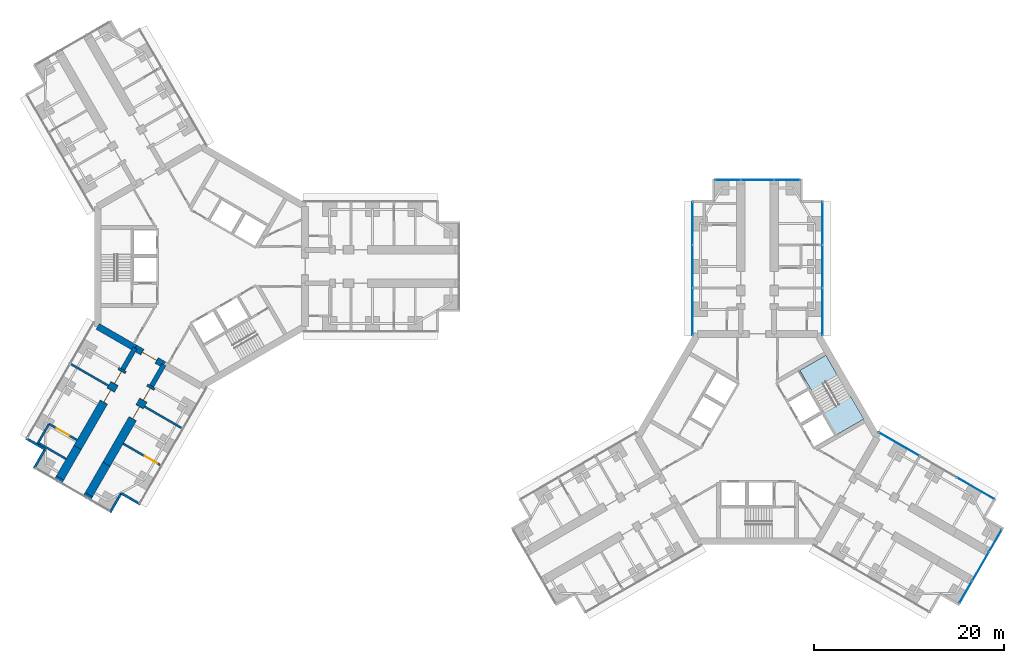
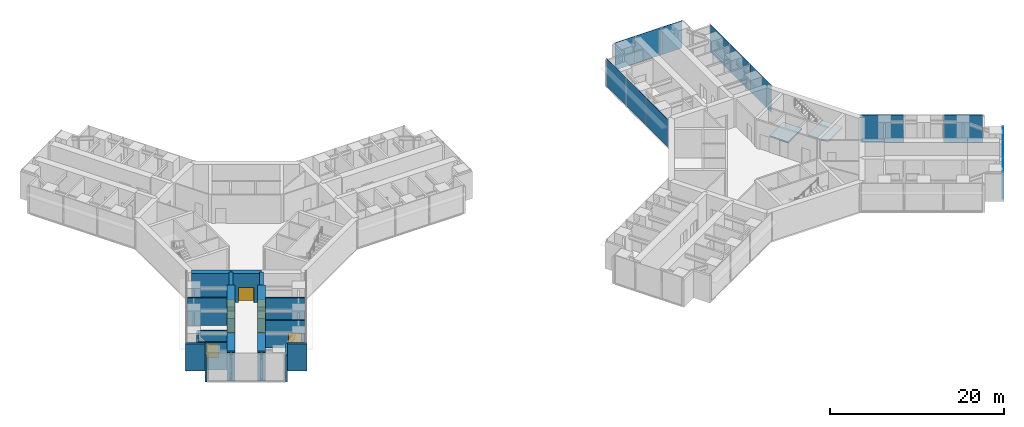
# One storey, part 15 of 22: 20 walls, 14 plates, 7 doors, 2 slabs, 7 openings, 6 elements without a shape of their own.
"""IFC4 building model written with IfcOpenShell, lengths in metres."""

from ifc_helpers import new_model, si_unit, direction, frame, frame_2d, origin, origin_2d, place, context, subcontext, project, spatial, polyline, rectangle, outline, extrude, material, layer, layer_set, type_object, element, fill, aggregate, save


model = new_model("IFC4")

# Units and contexts
model_context = context("Model", 3, precision=1e-05, world=origin(), true_north=direction((0.0, 1.0)))
body_context = subcontext(model_context, "Body", "Model", "MODEL_VIEW")
ifc_project = project(units=[si_unit("LENGTHUNIT", "METRE"), si_unit("AREAUNIT", "SQUARE_METRE"), si_unit("VOLUMEUNIT", "CUBIC_METRE"), si_unit("PLANEANGLEUNIT", "RADIAN"), si_unit("MASSUNIT", "GRAM", prefix="KILO")], contexts=[model_context])

# Site, building, storey
site_placement = place(None, origin())
site = spatial("IfcSite", under=ifc_project, at=site_placement, CompositionType="ELEMENT")
building_placement = place(site_placement, origin())
building = spatial("IfcBuilding", under=site, at=building_placement, Name="Upepo Twin Towers", CompositionType="ELEMENT")
storey_placement = place(building_placement, frame((0.0, 0.0, 44.5)))
storey = spatial("IfcBuildingStorey", under=building, at=storey_placement, Name="L10", CompositionType="ELEMENT", Elevation=44.5)

# Curtain wall, plates
ifc_material_1 = material(Name="Aluminium and fritted glass", Category="aluminium")
curtain_wall_type = type_object("IfcCurtainWallType", Name="Tower curtain wall TW1, fritted glass", PredefinedType="NOTDEFINED", material=ifc_material_1)
curtain_wall_1_placement = place(storey_placement, origin())
curtain_wall_1 = element("IfcCurtainWall", 1, at=curtain_wall_1_placement, inside=storey, type_object=curtain_wall_type, Name="T2 L10 wing A flank L curtain wall", PredefinedType="NOTDEFINED")
ifc_material_2 = material(Name="Ceramic-fritted laminated glass", Category="glass")
ifc_layer_1 = layer(ifc_material_2, 0.031982421875)
ifc_layer_set_1 = layer_set([ifc_layer_1], Name="Fritted glass panel, 20 per cent dot frit, 32 mm double glazed")
plate_type_1 = type_object("IfcPlateType", Name="Fritted glass panel, 20 per cent dot frit, 32 mm double glazed", PredefinedType="CURTAIN_PANEL", material=ifc_layer_set_1)
plate_1_placement = place(storey_placement, frame((51.64990234375, -4.76513671875, 0.14990234375), z_axis=(0.0, 0.0, 1.0), x_axis=(0.0, 1.0, 0.0)))
plate_1 = element("IfcPlate", 2, at=plate_1_placement, type_object=plate_type_1, Name="T2 L10 wing A flank L curtain wall panel 1", PredefinedType="CURTAIN_PANEL", context=body_context, shape_type="SweptSolid", body=[
    extrude(rectangle(XDim=4.96533203125, YDim=0.031982421875, at=origin_2d()), origin(), (0.0, 0.0, 1.0), 3.85009765625),
])
plate_2_placement = place(storey_placement, frame((51.64990234375, 0.0, 0.14990234375), z_axis=(0.0, 0.0, 1.0), x_axis=(0.0, 1.0, 0.0)))
plate_2 = element("IfcPlate", 3, at=plate_2_placement, type_object=plate_type_1, Name="T2 L10 wing A flank L curtain wall panel 2", PredefinedType="CURTAIN_PANEL", context=body_context, shape_type="SweptSolid", body=[
    extrude(rectangle(XDim=4.43505859375, YDim=0.031982421875, at=origin_2d()), origin(), (0.0, 0.0, 1.0), 3.85009765625),
])
plate_3_placement = place(storey_placement, frame((51.64990234375, 4.53369140625, 0.14990234375), z_axis=(0.0, 0.0, 1.0), x_axis=(0.0, 1.0, 0.0)))
plate_3 = element("IfcPlate", 4, at=plate_3_placement, type_object=plate_type_1, Name="T2 L10 wing A flank L curtain wall panel 3", PredefinedType="CURTAIN_PANEL", context=body_context, shape_type="SweptSolid", body=[
    extrude(rectangle(XDim=4.50244140625, YDim=0.031982421875, at=origin_2d()), origin(), (0.0, 0.0, 1.0), 3.85009765625),
])
aggregate(curtain_wall_1, [plate_1, plate_2, plate_3])

curtain_wall_2_placement = place(storey_placement, origin())
curtain_wall_2 = element("IfcCurtainWall", 5, at=curtain_wall_2_placement, inside=storey, type_object=curtain_wall_type, Name="T2 L10 wing A flank R curtain wall", PredefinedType="NOTDEFINED")
plate_4_placement = place(storey_placement, frame((65.35009765625, 4.53369140625, 0.14990234375), z_axis=(0.0, 0.0, 1.0), x_axis=(0.0, -1.0, 0.0)))
plate_4 = element("IfcPlate", 6, at=plate_4_placement, type_object=plate_type_1, Name="T2 L10 wing A flank R curtain wall panel 1", PredefinedType="CURTAIN_PANEL", context=body_context, shape_type="SweptSolid", body=[
    extrude(rectangle(XDim=4.50244140625, YDim=0.031982421875, at=origin_2d()), origin(), (0.0, 0.0, 1.0), 3.85009765625),
])
plate_5_placement = place(storey_placement, frame((65.35009765625, 0.0, 0.14990234375), z_axis=(0.0, 0.0, 1.0), x_axis=(0.0, -1.0, 0.0)))
plate_5 = element("IfcPlate", 7, at=plate_5_placement, type_object=plate_type_1, Name="T2 L10 wing A flank R curtain wall panel 2", PredefinedType="CURTAIN_PANEL", context=body_context, shape_type="SweptSolid", body=[
    extrude(rectangle(XDim=4.43505859375, YDim=0.031982421875, at=origin_2d()), origin(), (0.0, 0.0, 1.0), 3.85009765625),
])
plate_6_placement = place(storey_placement, frame((65.35009765625, -4.76513671875, 0.14990234375), z_axis=(0.0, 0.0, 1.0), x_axis=(0.0, -1.0, 0.0)))
plate_6 = element("IfcPlate", 8, at=plate_6_placement, type_object=plate_type_1, Name="T2 L10 wing A flank R curtain wall panel 3", PredefinedType="CURTAIN_PANEL", context=body_context, shape_type="SweptSolid", body=[
    extrude(rectangle(XDim=4.96533203125, YDim=0.031982421875, at=origin_2d()), origin(), (0.0, 0.0, 1.0), 3.85009765625),
])
aggregate(curtain_wall_2, [plate_4, plate_5, plate_6])

# Curtain wall, plate
curtain_wall_3_placement = place(storey_placement, origin())
curtain_wall_3 = element("IfcCurtainWall", 9, at=curtain_wall_3_placement, inside=storey, type_object=curtain_wall_type, Name="T2 L10 wing A nose curtain wall", PredefinedType="NOTDEFINED")
plate_7_placement = place(storey_placement, frame((58.5, 9.10009765625, 0.14990234375), z_axis=(0.0, 0.0, 1.0), x_axis=(-1.0, 0.0, 0.0)))
plate_7 = element("IfcPlate", 10, at=plate_7_placement, type_object=plate_type_1, Name="T2 L10 wing A nose curtain wall panel 2", PredefinedType="CURTAIN_PANEL", context=body_context, shape_type="SweptSolid", body=[
    extrude(rectangle(XDim=3.43505859375, YDim=0.031982421875, at=origin_2d()), origin(), (0.0, 0.0, 1.0), 3.85009765625),
])

# Curtain wall, plates
curtain_wall_4_placement = place(storey_placement, origin())
curtain_wall_4 = element("IfcCurtainWall", 11, at=curtain_wall_4_placement, inside=storey, type_object=curtain_wall_type, Name="T2 L10 wing C flank L curtain wall", PredefinedType="NOTDEFINED")
plate_8_placement = place(storey_placement, frame((73.38671875, -18.68505859375, 0.14990234375), z_axis=(0.0, 0.0, 1.0), x_axis=(0.866025389682, -0.500000024426, 0.0)))
plate_8 = element("IfcPlate", 12, at=plate_8_placement, type_object=plate_type_1, Name="T2 L10 wing C flank L curtain wall panel 1", PredefinedType="CURTAIN_PANEL", context=body_context, shape_type="SweptSolid", body=[
    extrude(rectangle(XDim=4.96533203125, YDim=0.031982421875, at=origin_2d()), origin(), (0.0, 0.0, 1.0), 3.85009765625),
])
plate_9_placement = place(storey_placement, frame((81.439697265625, -23.334716796875, 0.14990234375), z_axis=(0.0, 0.0, 1.0), x_axis=(0.866025389682, -0.500000024426, 0.0)))
plate_9 = element("IfcPlate", 13, at=plate_9_placement, type_object=plate_type_1, Name="T2 L10 wing C flank L curtain wall panel 3", PredefinedType="CURTAIN_PANEL", context=body_context, shape_type="SweptSolid", body=[
    extrude(rectangle(XDim=4.50244140625, YDim=0.031982421875, at=origin_2d()), origin(), (0.0, 0.0, 1.0), 3.85009765625),
])
aggregate(curtain_wall_4, [plate_8, plate_9])

# Curtain wall, plate
curtain_wall_5_placement = place(storey_placement, origin())
curtain_wall_5 = element("IfcCurtainWall", 14, at=curtain_wall_5_placement, inside=storey, type_object=curtain_wall_type, Name="T2 L10 wing C nose curtain wall", PredefinedType="NOTDEFINED")
plate_10_placement = place(storey_placement, frame((81.96923828125, -31.550048828125, 0.14990234375), z_axis=(0.0, 0.0, 1.0), x_axis=(0.500000030502, 0.866025386174, 0.0)))
plate_10 = element("IfcPlate", 15, at=plate_10_placement, type_object=plate_type_1, Name="T2 L10 wing C nose curtain wall panel 2", PredefinedType="CURTAIN_PANEL", context=body_context, shape_type="SweptSolid", body=[
    extrude(rectangle(XDim=3.43505859375, YDim=0.031982421875, at=origin_2d()), origin(), (0.0, 0.0, 1.0), 3.85009765625),
])

# Plate
ifc_material_3 = material(Name="Clear laminated glass in opening sash", Category="glass")
ifc_layer_2 = layer(ifc_material_3, 0.031982421875)
ifc_layer_set_2 = layer_set([ifc_layer_2], Name="Operable glass panel, 32 mm double glazed")
plate_type_2 = type_object("IfcPlateType", Name="Operable glass panel, 32 mm double glazed", PredefinedType="CURTAIN_PANEL", material=ifc_layer_set_2)
plate_11_placement = place(storey_placement, frame((61.608642578125, 9.10009765625, 0.14990234375), z_axis=(0.0, 0.0, 1.0), x_axis=(-1.0, 0.0, 0.0)))
plate_11 = element("IfcPlate", 16, at=plate_11_placement, type_object=plate_type_2, Name="T2 L10 wing A nose curtain wall panel 1", PredefinedType="CURTAIN_PANEL", context=body_context, shape_type="SweptSolid", body=[
    extrude(rectangle(XDim=2.652587890625, YDim=0.031982421875, at=origin_2d()), origin(), (0.0, 0.0, 1.0), 3.85009765625),
])

plate_12_placement = place(storey_placement, frame((55.391357421875, 9.10009765625, 0.14990234375), z_axis=(0.0, 0.0, 1.0), x_axis=(-1.0, 0.0, 0.0)))
plate_12 = element("IfcPlate", 17, at=plate_12_placement, type_object=plate_type_2, Name="T2 L10 wing A nose curtain wall panel 3", PredefinedType="CURTAIN_PANEL", context=body_context, shape_type="SweptSolid", body=[
    extrude(rectangle(XDim=2.652587890625, YDim=0.031982421875, at=origin_2d()), origin(), (0.0, 0.0, 1.0), 3.85009765625),
])

aggregate(curtain_wall_3, [plate_11, plate_7, plate_12])

plate_13_placement = place(storey_placement, frame((80.414794921875, -34.2421875, 0.14990234375), z_axis=(0.0, 0.0, 1.0), x_axis=(0.500000030502, 0.866025386174, 0.0)))
plate_13 = element("IfcPlate", 18, at=plate_13_placement, type_object=plate_type_2, Name="T2 L10 wing C nose curtain wall panel 1", PredefinedType="CURTAIN_PANEL", context=body_context, shape_type="SweptSolid", body=[
    extrude(rectangle(XDim=2.652587890625, YDim=0.031982421875, at=origin_2d()), origin(), (0.0, 0.0, 1.0), 3.85009765625),
])

plate_14_placement = place(storey_placement, frame((83.523681640625, -28.857666015625, 0.14990234375), z_axis=(0.0, 0.0, 1.0), x_axis=(0.500000030502, 0.866025386174, 0.0)))
plate_14 = element("IfcPlate", 19, at=plate_14_placement, type_object=plate_type_2, Name="T2 L10 wing C nose curtain wall panel 3", PredefinedType="CURTAIN_PANEL", context=body_context, shape_type="SweptSolid", body=[
    extrude(rectangle(XDim=2.652587890625, YDim=0.031982421875, at=origin_2d()), origin(), (0.0, 0.0, 1.0), 3.85009765625),
])

aggregate(curtain_wall_5, [plate_13, plate_10, plate_14])

# Stair, slabs
ifc_material_4 = material(Name="Concrete C40/50", Category="concrete")
stair_type = type_object("IfcStairType", Name="Core stair, two flights", PredefinedType="HALF_TURN_STAIR", material=ifc_material_4)
stair_placement = place(storey_placement, origin())
stair = element("IfcStair", 20, at=stair_placement, inside=storey, type_object=stair_type, Name="T2 stair S2 L10", PredefinedType="HALF_TURN_STAIR")
ifc_material_5 = material(Name="Concrete C40/50", Category="concrete")
ifc_layer_3 = layer(ifc_material_5, 0.199951171875)
ifc_layer_set_3 = layer_set([ifc_layer_3], Name="Concrete C40/50")
slab_type = type_object("IfcSlabType", Name="Stair landing 200 RC", PredefinedType="LANDING", material=ifc_layer_set_3)
slab_1_placement = place(storey_placement, frame((0.0, 0.0, -0.199951171875)))
slab_1 = element("IfcSlab", 21, at=slab_1_placement, type_object=slab_type, Name="Stair S2 landing 1", PredefinedType="LANDING", context=body_context, shape_type="SweptSolid", body=[
    extrude(outline(polyline([(64.198486328125, -13.0703125), (66.933837890625, -11.490966796875), (65.69384765625, -9.34326171875), (62.95849609375, -10.922607421875), (64.198486328125, -13.0703125)])), origin(), (0.0, 0.0, 1.0), 0.199951171875),
])
slab_2_placement = place(storey_placement, frame((0.0, 0.0, 1.800048828125)))
slab_2 = element("IfcSlab", 22, at=slab_2_placement, type_object=slab_type, Name="Stair S2 landing 2", PredefinedType="LANDING", context=body_context, shape_type="SweptSolid", body=[
    extrude(outline(polyline([(66.77197265625, -17.7275390625), (69.680419921875, -16.04833984375), (68.3203125, -13.692626953125), (65.411865234375, -15.371826171875), (66.77197265625, -17.7275390625)])), origin(), (0.0, 0.0, 1.0), 0.199951171875),
])
aggregate(stair, [slab_1, slab_2])

# Wall
ifc_material_6 = material(Name="Concrete blockwork, plastered both faces", Category="masonry")
ifc_layer_4 = layer(ifc_material_6, 0.215087890625)
ifc_layer_set_4 = layer_set([ifc_layer_4], Name="Blockwork partition 215")
wall_type_1 = type_object("IfcWallType", Name="Blockwork partition 215", PredefinedType="PARTITIONING", material=ifc_layer_set_4)
wall_1_placement = place(storey_placement, frame((-5.9697265625, -14.739990234375, 0.0), z_axis=(0.0, 0.0, 1.0), x_axis=(0.866035472144, -0.499982560684, 0.0)))
element("IfcWall", 23, at=wall_1_placement, inside=storey, type_object=wall_type_1, Name="T1 partition CL at 15.75", PredefinedType="PARTITIONING", context=body_context, shape_type="SweptSolid", body=[
    extrude(rectangle(XDim=4.550048828125, YDim=0.215087890625, at=frame_2d((2.27490234375, 0.0))), origin(), (0.0, 0.0, 1.0), 3.800048828125),
])

# Wall, opening, door
wall_2_placement = place(storey_placement, frame((-8.2197265625, -18.636962890625, 0.0), z_axis=(0.0, 0.0, 1.0), x_axis=(0.866012237902, -0.500022803284, 0.0)))
wall_2 = element("IfcWall", 24, at=wall_2_placement, inside=storey, type_object=wall_type_1, Name="T1 partition CL at 20.25", PredefinedType="PARTITIONING", context=body_context, shape_type="SweptSolid", body=[
    extrude(rectangle(XDim=4.550048828125, YDim=0.215087890625, at=frame_2d((2.27490234375, 0.0))), origin(), (0.0, 0.0, 1.0), 3.800048828125),
])
opening_1_placement = place(wall_2_placement, frame((2.64990234375, 0.0, 0.0)))
opening_1 = element("IfcOpeningElement", 25, at=opening_1_placement, cuts=wall_2, Name="Opening D13", PredefinedType="OPENING", context=body_context, shape_type="SweptSolid", body=[
    extrude(rectangle(XDim=1.5, YDim=2.10009765625, at=frame_2d((0.75, 1.050048828125))), frame((0.0, 0.117431640625, 0.0), z_axis=(0.0, -1.0, 0.0), x_axis=(1.0, 0.0, 0.0)), (0.0, 0.0, 1.0), 0.235107421875),
])
ifc_material_7 = material(Name="Timber doorset", Category="wood")
door_type_1 = type_object("IfcDoorType", Name="Double door 1500 FD30", OperationType="DOUBLE_DOOR_SINGLE_SWING", PredefinedType="DOOR", material=ifc_material_7)
door_1_placement = place(opening_1_placement, origin())
door_1 = element("IfcDoor", 26, at=door_1_placement, inside=storey, type_object=door_type_1, Name="T1 L10 connecting door", OperationType="DOUBLE_DOOR_SINGLE_SWING", OverallHeight=2.10009765625, OverallWidth=1.5, PredefinedType="DOOR", context=body_context, shape_type="SweptSolid", body=[
    extrude(rectangle(XDim=1.5, YDim=2.10009765625, at=frame_2d((0.75, 1.050048828125))), frame((0.0, 0.02490234375, 0.0), z_axis=(0.0, -1.0, 0.0), x_axis=(1.0, 0.0, 0.0)), (0.0, 0.0, 1.0), 0.050048828125),
])
fill(opening_1, door_1)

# Walls
wall_3_placement = place(storey_placement, frame((-9.7802734375, -12.539794921875, 0.0), z_axis=(0.0, 0.0, 1.0), x_axis=(-0.866035472144, 0.499982560684, 0.0)))
element("IfcWall", 27, at=wall_3_placement, inside=storey, type_object=wall_type_1, Name="T1 partition CR at 15.75", PredefinedType="PARTITIONING", context=body_context, shape_type="SweptSolid", body=[
    extrude(rectangle(XDim=4.550048828125, YDim=0.215087890625, at=frame_2d((2.27490234375, 0.0))), origin(), (0.0, 0.0, 1.0), 3.800048828125),
])
wall_4_placement = place(storey_placement, frame((-16.024658203125, -16.5556640625, 0.0), z_axis=(0.0, 0.0, 1.0), x_axis=(-0.500077600433, -0.865980596518, 0.0)))
element("IfcWall", 28, at=wall_4_placement, inside=storey, type_object=wall_type_1, Name="T1 inner room partition CR at 22.35", PredefinedType="PARTITIONING", context=body_context, shape_type="SweptSolid", body=[
    extrude(rectangle(XDim=2.39990234375, YDim=0.215087890625, at=frame_2d((1.199951171875, 0.0))), origin(), (0.0, 0.0, 1.0), 3.800048828125),
])

# Wall, opening, door
wall_5_placement = place(storey_placement, frame((-13.080322265625, -18.255615234375, 0.0), z_axis=(0.0, 0.0, 1.0), x_axis=(-0.866020560687, 0.500008388397, 0.0)))
wall_5 = element("IfcWall", 29, at=wall_5_placement, inside=storey, type_object=wall_type_1, Name="T1 inner room partition CR end at 22.35", PredefinedType="PARTITIONING", context=body_context, shape_type="SweptSolid", body=[
    extrude(rectangle(XDim=3.39990234375, YDim=0.215087890625, at=frame_2d((1.699951171875, 0.0))), origin(), (0.0, 0.0, 1.0), 3.800048828125),
])
opening_2_placement = place(wall_5_placement, frame((0.949951171875, 0.0, 0.0)))
opening_2 = element("IfcOpeningElement", 30, at=opening_2_placement, cuts=wall_5, Name="Opening D13", PredefinedType="OPENING", context=body_context, shape_type="SweptSolid", body=[
    extrude(rectangle(XDim=1.5, YDim=2.10009765625, at=frame_2d((0.75, 1.050048828125))), frame((0.0, 0.117431640625, 0.0), z_axis=(0.0, -1.0, 0.0), x_axis=(1.0, 0.0, 0.0)), (0.0, 0.0, 1.0), 0.235107421875),
])
door_2_placement = place(opening_2_placement, origin())
door_2 = element("IfcDoor", 31, at=door_2_placement, inside=storey, type_object=door_type_1, Name="T1 L10 inner room door", OperationType="DOUBLE_DOOR_SINGLE_SWING", OverallHeight=2.10009765625, OverallWidth=1.5, PredefinedType="DOOR", context=body_context, shape_type="SweptSolid", body=[
    extrude(rectangle(XDim=1.5, YDim=2.10009765625, at=frame_2d((0.75, 1.050048828125))), frame((0.0, 0.02490234375, 0.0), z_axis=(0.0, -1.0, 0.0), x_axis=(1.0, 0.0, 0.0)), (0.0, 0.0, 1.0), 0.050048828125),
])
fill(opening_2, door_2)

# Walls
wall_6_placement = place(storey_placement, frame((-14.2265625, -20.240966796875, 0.0), z_axis=(0.0, 0.0, 1.0), x_axis=(-0.866020560687, 0.500008388397, 0.0)))
element("IfcWall", 32, at=wall_6_placement, inside=storey, type_object=wall_type_1, Name="T1 inner room partition CR end at 24.75", PredefinedType="PARTITIONING", context=body_context, shape_type="SweptSolid", body=[
    extrude(rectangle(XDim=3.39990234375, YDim=0.215087890625, at=frame_2d((1.699951171875, 0.0))), origin(), (0.0, 0.0, 1.0), 3.800048828125),
])
ifc_material_8 = material(Name="Dense concrete blockwork", Category="masonry")
ifc_layer_5 = layer(ifc_material_8, 0.89990234375)
ifc_layer_set_5 = layer_set([ifc_layer_5], Name="Buttress closer 900, blockwork with fire-stopping to the curtain wall")
wall_type_2 = type_object("IfcWallType", Name="Buttress closer 900, blockwork with fire-stopping to the curtain wall", PredefinedType="PARTITIONING", material=ifc_layer_set_5)
for number, where, z_axis, x_axis, name in (
    (33, (-11.83447265625, -23.997802734375, 0.0), (0.0, 0.0, 1.0), (-0.499949632511, -0.866054481515, 0.0), "T1 L10 wing C buttress closer L"),
    (34, (-14.865478515625, -22.247802734375, 0.0), (0.0, 0.0, 1.0), (-0.499949632511, -0.866054481515, 0.0), "T1 L10 wing C buttress closer R"),
):
    element("IfcWall", number, at=place(storey_placement, frame(where, z_axis=z_axis, x_axis=x_axis)), inside=storey, type_object=wall_type_2, Name=name, PredefinedType="PARTITIONING", context=body_context, shape_type="SweptSolid", body=[
        extrude(rectangle(XDim=0.31005859375, YDim=0.89990234375, at=frame_2d((0.155029296875, 0.0))), origin(), (0.0, 0.0, 1.0), 3.800048828125),
    ])
ifc_material_9 = material(Name="Concrete C60/75", Category="concrete")
ifc_layer_6 = layer(ifc_material_9, 0.5)
ifc_layer_set_6 = layer_set([ifc_layer_6], Name="Concrete C60/75")
wall_type_3 = type_object("IfcWallType", Name="Buttress wall 500 RC", PredefinedType="SHEAR", material=ifc_layer_set_6)
for number, where, z_axis, x_axis, name in (
    (35, (-3.938720703125, -10.32177734375, 0.0), (0.0, 0.0, 1.0), (-0.499918158782, -0.866072649678, 0.0), "T1 wing C buttress wall L"),
    (36, (-6.9697265625, -8.57177734375, 0.0), (0.0, 0.0, 1.0), (-0.499988811324, -0.866031863473, 0.0), "T1 wing C buttress wall R"),
):
    element("IfcWall", number, at=place(storey_placement, frame(where, z_axis=z_axis, x_axis=x_axis)), inside=storey, type_object=wall_type_3, Name=name, PredefinedType="SHEAR", context=body_context, shape_type="SweptSolid", body=[
        extrude(rectangle(XDim=2.591796875, YDim=0.5, at=frame_2d((1.2958984375, 0.0))), origin(), (0.0, 0.0, 1.0), 4.0),
    ])

# Wall, openings, doors
ifc_material_10 = material(Name="Concrete C60/75", Category="concrete")
ifc_layer_7 = layer(ifc_material_10, 0.89990234375)
ifc_layer_set_7 = layer_set([ifc_layer_7], Name="Concrete C60/75")
wall_type_4 = type_object("IfcWallType", Name="Buttress wall 900 RC", PredefinedType="SHEAR", material=ifc_layer_set_7)
wall_7_placement = place(storey_placement, frame((-5.234375, -12.56640625, 0.0), z_axis=(0.0, 0.0, 1.0), x_axis=(-0.499997557548, -0.86602681393, 0.0)))
wall_7 = element("IfcWall", 37, at=wall_7_placement, inside=storey, type_object=wall_type_4, Name="T1 wing C buttress wall L part 2", PredefinedType="SHEAR", context=body_context, shape_type="SweptSolid", body=[
    extrude(rectangle(XDim=9.5, YDim=0.89990234375, at=frame_2d((4.75, 0.0))), origin(), (0.0, 0.0, 1.0), 4.0),
])
opening_3_placement = place(wall_7_placement, frame((0.25, 0.0, 0.0)))
opening_3 = element("IfcOpeningElement", 38, at=opening_3_placement, cuts=wall_7, Name="Opening D13", PredefinedType="OPENING", context=body_context, shape_type="SweptSolid", body=[
    extrude(rectangle(XDim=1.5, YDim=2.10009765625, at=frame_2d((0.75, 1.050048828125))), frame((0.0, 0.4599609375, 0.0), z_axis=(0.0, -1.0, 0.0), x_axis=(1.0, 0.0, 0.0)), (0.0, 0.0, 1.0), 0.919921875),
])
opening_4_placement = place(wall_7_placement, frame((2.5, 0.0, 0.0)))
opening_4 = element("IfcOpeningElement", 39, at=opening_4_placement, cuts=wall_7, Name="Opening D13", PredefinedType="OPENING", context=body_context, shape_type="SweptSolid", body=[
    extrude(rectangle(XDim=1.5, YDim=2.10009765625, at=frame_2d((0.75, 1.050048828125))), frame((0.0, 0.4599609375, 0.0), z_axis=(0.0, -1.0, 0.0), x_axis=(1.0, 0.0, 0.0)), (0.0, 0.0, 1.0), 0.919921875),
])
door_3_placement = place(opening_3_placement, origin())
door_3 = element("IfcDoor", 40, at=door_3_placement, inside=storey, type_object=door_type_1, Name="T1 L10 laboratory prep room door", OperationType="DOUBLE_DOOR_SINGLE_SWING", OverallHeight=2.10009765625, OverallWidth=1.5, PredefinedType="DOOR", context=body_context, shape_type="SweptSolid", body=[
    extrude(rectangle(XDim=1.42, YDim=2.06009765625, at=frame_2d((0.75, 1.030029296875))), frame((0.0, 0.02490234375, 0.0), z_axis=(0.0, -1.0, 0.0), x_axis=(1.0, 0.0, 0.0)), (0.0, 0.0, 1.0), 0.050048828125),
    extrude(rectangle(XDim=0.04, YDim=2.10009765625, at=frame_2d((0.02001953125, 1.050048828125))), frame((0.0, 0.44970703125, 0.0), z_axis=(0.0, -1.0, 0.0), x_axis=(1.0, 0.0, 0.0)), (0.0, 0.0, 1.0), 0.8994140625),
    extrude(rectangle(XDim=0.04, YDim=2.10009765625, at=frame_2d((1.47998046875, 1.050048828125))), frame((0.0, 0.44970703125, 0.0), z_axis=(0.0, -1.0, 0.0), x_axis=(1.0, 0.0, 0.0)), (0.0, 0.0, 1.0), 0.8994140625),
    extrude(rectangle(XDim=1.42, YDim=0.04, at=frame_2d((0.75, 2.080078125))), frame((0.0, 0.44970703125, 0.0), z_axis=(0.0, -1.0, 0.0), x_axis=(1.0, 0.0, 0.0)), (0.0, 0.0, 1.0), 0.8994140625),
])
fill(opening_3, door_3)
door_4_placement = place(opening_4_placement, origin())
door_4 = element("IfcDoor", 41, at=door_4_placement, inside=storey, type_object=door_type_1, Name="T1 L10 research laboratory door", OperationType="DOUBLE_DOOR_SINGLE_SWING", OverallHeight=2.10009765625, OverallWidth=1.5, PredefinedType="DOOR", context=body_context, shape_type="SweptSolid", body=[
    extrude(rectangle(XDim=1.42, YDim=2.06009765625, at=frame_2d((0.75, 1.030029296875))), frame((0.0, 0.02490234375, 0.0), z_axis=(0.0, -1.0, 0.0), x_axis=(1.0, 0.0, 0.0)), (0.0, 0.0, 1.0), 0.050048828125),
    extrude(rectangle(XDim=0.04, YDim=2.10009765625, at=frame_2d((0.02001953125, 1.050048828125))), frame((0.0, 0.44970703125, 0.0), z_axis=(0.0, -1.0, 0.0), x_axis=(1.0, 0.0, 0.0)), (0.0, 0.0, 1.0), 0.8994140625),
    extrude(rectangle(XDim=0.04, YDim=2.10009765625, at=frame_2d((1.47998046875, 1.050048828125))), frame((0.0, 0.44970703125, 0.0), z_axis=(0.0, -1.0, 0.0), x_axis=(1.0, 0.0, 0.0)), (0.0, 0.0, 1.0), 0.8994140625),
    extrude(rectangle(XDim=1.42, YDim=0.04, at=frame_2d((0.75, 2.080078125))), frame((0.0, 0.44970703125, 0.0), z_axis=(0.0, -1.0, 0.0), x_axis=(1.0, 0.0, 0.0)), (0.0, 0.0, 1.0), 0.8994140625),
])
fill(opening_4, door_4)

# Wall
wall_8_placement = place(storey_placement, frame((-9.984375, -20.793701171875, 0.0), z_axis=(0.0, 0.0, 1.0), x_axis=(-0.500042316284, -0.866000971088, 0.0)))
element("IfcWall", 42, at=wall_8_placement, inside=storey, type_object=wall_type_4, Name="T1 wing C buttress wall L part 3", PredefinedType="SHEAR", context=body_context, shape_type="SweptSolid", body=[
    extrude(rectangle(XDim=3.699951171875, YDim=0.89990234375, at=frame_2d((1.85009765625, 0.0))), origin(), (0.0, 0.0, 1.0), 4.0),
])

# Wall, openings, doors
wall_9_placement = place(storey_placement, frame((-8.265625, -10.81640625, 0.0), z_axis=(0.0, 0.0, 1.0), x_axis=(-0.499997557548, -0.86602681393, 0.0)))
wall_9 = element("IfcWall", 43, at=wall_9_placement, inside=storey, type_object=wall_type_4, Name="T1 wing C buttress wall R part 2", PredefinedType="SHEAR", context=body_context, shape_type="SweptSolid", body=[
    extrude(rectangle(XDim=9.5, YDim=0.89990234375, at=frame_2d((4.75, 0.0))), origin(), (0.0, 0.0, 1.0), 4.0),
])
opening_5_placement = place(wall_9_placement, frame((0.25, 0.0, 0.0)))
opening_5 = element("IfcOpeningElement", 44, at=opening_5_placement, cuts=wall_9, Name="Opening D13", PredefinedType="OPENING", context=body_context, shape_type="SweptSolid", body=[
    extrude(rectangle(XDim=1.5, YDim=2.10009765625, at=frame_2d((0.75, 1.050048828125))), frame((0.0, 0.4599609375, 0.0), z_axis=(0.0, -1.0, 0.0), x_axis=(1.0, 0.0, 0.0)), (0.0, 0.0, 1.0), 0.919921875),
])
opening_6_placement = place(wall_9_placement, frame((2.5, 0.0, 0.0)))
opening_6 = element("IfcOpeningElement", 45, at=opening_6_placement, cuts=wall_9, Name="Opening D13", PredefinedType="OPENING", context=body_context, shape_type="SweptSolid", body=[
    extrude(rectangle(XDim=1.5, YDim=2.10009765625, at=frame_2d((0.75, 1.050048828125))), frame((0.0, 0.4599609375, 0.0), z_axis=(0.0, -1.0, 0.0), x_axis=(1.0, 0.0, 0.0)), (0.0, 0.0, 1.0), 0.919921875),
])
door_5_placement = place(opening_5_placement, origin())
door_5 = element("IfcDoor", 46, at=door_5_placement, inside=storey, type_object=door_type_1, Name="T1 L10 write-up room door", OperationType="DOUBLE_DOOR_SINGLE_SWING", OverallHeight=2.10009765625, OverallWidth=1.5, PredefinedType="DOOR", context=body_context, shape_type="SweptSolid", body=[
    extrude(rectangle(XDim=1.42, YDim=2.06009765625, at=frame_2d((0.75, 1.030029296875))), frame((0.0, 0.02490234375, 0.0), z_axis=(0.0, -1.0, 0.0), x_axis=(1.0, 0.0, 0.0)), (0.0, 0.0, 1.0), 0.050048828125),
    extrude(rectangle(XDim=0.04, YDim=2.10009765625, at=frame_2d((0.02001953125, 1.050048828125))), frame((0.0, 0.44970703125, 0.0), z_axis=(0.0, -1.0, 0.0), x_axis=(1.0, 0.0, 0.0)), (0.0, 0.0, 1.0), 0.8994140625),
    extrude(rectangle(XDim=0.04, YDim=2.10009765625, at=frame_2d((1.47998046875, 1.050048828125))), frame((0.0, 0.44970703125, 0.0), z_axis=(0.0, -1.0, 0.0), x_axis=(1.0, 0.0, 0.0)), (0.0, 0.0, 1.0), 0.8994140625),
    extrude(rectangle(XDim=1.42, YDim=0.04, at=frame_2d((0.75, 2.080078125))), frame((0.0, 0.44970703125, 0.0), z_axis=(0.0, -1.0, 0.0), x_axis=(1.0, 0.0, 0.0)), (0.0, 0.0, 1.0), 0.8994140625),
])
fill(opening_5, door_5)
door_6_placement = place(opening_6_placement, origin())
door_6 = element("IfcDoor", 47, at=door_6_placement, inside=storey, type_object=door_type_1, Name="T1 L10 teaching laboratory door", OperationType="DOUBLE_DOOR_SINGLE_SWING", OverallHeight=2.10009765625, OverallWidth=1.5, PredefinedType="DOOR", context=body_context, shape_type="SweptSolid", body=[
    extrude(rectangle(XDim=1.42, YDim=2.06009765625, at=frame_2d((0.75, 1.030029296875))), frame((0.0, 0.02490234375, 0.0), z_axis=(0.0, -1.0, 0.0), x_axis=(1.0, 0.0, 0.0)), (0.0, 0.0, 1.0), 0.050048828125),
    extrude(rectangle(XDim=0.04, YDim=2.10009765625, at=frame_2d((0.02001953125, 1.050048828125))), frame((0.0, 0.44970703125, 0.0), z_axis=(0.0, -1.0, 0.0), x_axis=(1.0, 0.0, 0.0)), (0.0, 0.0, 1.0), 0.8994140625),
    extrude(rectangle(XDim=0.04, YDim=2.10009765625, at=frame_2d((1.47998046875, 1.050048828125))), frame((0.0, 0.44970703125, 0.0), z_axis=(0.0, -1.0, 0.0), x_axis=(1.0, 0.0, 0.0)), (0.0, 0.0, 1.0), 0.8994140625),
    extrude(rectangle(XDim=1.42, YDim=0.04, at=frame_2d((0.75, 2.080078125))), frame((0.0, 0.44970703125, 0.0), z_axis=(0.0, -1.0, 0.0), x_axis=(1.0, 0.0, 0.0)), (0.0, 0.0, 1.0), 0.8994140625),
])
fill(opening_6, door_6)

# Walls
wall_10_placement = place(storey_placement, frame((-13.015625, -19.043701171875, 0.0), z_axis=(0.0, 0.0, 1.0), x_axis=(-0.499992827086, -0.866029545028, 0.0)))
element("IfcWall", 48, at=wall_10_placement, inside=storey, type_object=wall_type_4, Name="T1 wing C buttress wall R part 3", PredefinedType="SHEAR", context=body_context, shape_type="SweptSolid", body=[
    extrude(rectangle(XDim=3.69970703125, YDim=0.89990234375, at=frame_2d((1.849853515625, 0.0))), origin(), (0.0, 0.0, 1.0), 4.0),
])
ifc_material_11 = material(Name="Concrete C60/75", Category="concrete")
ifc_layer_8 = layer(ifc_material_11, 0.699951171875)
ifc_layer_set_8 = layer_set([ifc_layer_8], Name="Concrete C60/75")
wall_type_5 = type_object("IfcWallType", Name="Core wall 700 RC", PredefinedType="SHEAR", material=ifc_layer_set_8)
wall_11_placement = place(storey_placement, frame((-10.908447265625, -6.2978515625, 0.0), z_axis=(0.0, 0.0, 1.0), x_axis=(0.866034513004, -0.499984222037, 0.0)))
element("IfcWall", 49, at=wall_11_placement, inside=storey, type_object=wall_type_5, Name="T1 core wall 240 R", PredefinedType="SHEAR", context=body_context, shape_type="SweptSolid", body=[
    extrude(rectangle(XDim=4.548095703125, YDim=0.699951171875, at=frame_2d((2.27392578125, 0.0))), origin(), (0.0, 0.0, 1.0), 4.0),
])

# Wall, opening, door
wall_12_placement = place(storey_placement, frame((-6.9697265625, -8.57177734375, 0.0), z_axis=(0.0, 0.0, 1.0), x_axis=(0.866019471182, -0.500010275428, 0.0)))
wall_12 = element("IfcWall", 50, at=wall_12_placement, inside=storey, type_object=wall_type_5, Name="T1 core wall 240", PredefinedType="SHEAR", context=body_context, shape_type="SweptSolid", body=[
    extrude(rectangle(XDim=3.5, YDim=0.699951171875, at=frame_2d((1.75, 0.0))), origin(), (0.0, 0.0, 1.0), 4.0),
])
opening_7_placement = place(wall_12_placement, frame((0.85009765625, 0.0, 0.0)))
opening_7 = element("IfcOpeningElement", 51, at=opening_7_placement, cuts=wall_12, Name="Opening D2", PredefinedType="OPENING", context=body_context, shape_type="SweptSolid", body=[
    extrude(rectangle(XDim=1.800048828125, YDim=2.10009765625, at=frame_2d((0.89990234375, 1.050048828125))), frame((0.0, 0.35986328125, 0.0), z_axis=(0.0, -1.0, 0.0), x_axis=(1.0, 0.0, 0.0)), (0.0, 0.0, 1.0), 0.719970703125),
])
ifc_material_12 = material(Name="Timber doorset", Category="wood")
door_type_2 = type_object("IfcDoorType", Name="Corridor double door 1800 FD60", OperationType="DOUBLE_DOOR_DOUBLE_SWING", PredefinedType="DOOR", material=ifc_material_12)
door_7_placement = place(opening_7_placement, origin())
door_7 = element("IfcDoor", 52, at=door_7_placement, inside=storey, type_object=door_type_2, Name="T1 L10 wing C corridor door", OperationType="DOUBLE_DOOR_DOUBLE_SWING", OverallHeight=2.10009765625, OverallWidth=1.800048828125, PredefinedType="DOOR", context=body_context, shape_type="SweptSolid", body=[
    extrude(rectangle(XDim=1.720048828125, YDim=2.06009765625, at=frame_2d((0.89990234375, 1.030029296875))), frame((0.0, 0.02490234375, 0.0), z_axis=(0.0, -1.0, 0.0), x_axis=(1.0, 0.0, 0.0)), (0.0, 0.0, 1.0), 0.050048828125),
    extrude(rectangle(XDim=0.04, YDim=2.10009765625, at=frame_2d((0.02001953125, 1.050048828125))), frame((0.0, 0.349609375, 0.0), z_axis=(0.0, -1.0, 0.0), x_axis=(1.0, 0.0, 0.0)), (0.0, 0.0, 1.0), 0.699462890625),
    extrude(rectangle(XDim=0.04, YDim=2.10009765625, at=frame_2d((1.780029296875, 1.050048828125))), frame((0.0, 0.349609375, 0.0), z_axis=(0.0, -1.0, 0.0), x_axis=(1.0, 0.0, 0.0)), (0.0, 0.0, 1.0), 0.699462890625),
    extrude(rectangle(XDim=1.720048828125, YDim=0.04, at=frame_2d((0.89990234375, 2.080078125))), frame((0.0, 0.349609375, 0.0), z_axis=(0.0, -1.0, 0.0), x_axis=(1.0, 0.0, 0.0)), (0.0, 0.0, 1.0), 0.699462890625),
])
fill(opening_7, door_7)

# Walls
ifc_material_13 = material(Name="Blockwork with anodised aluminium cladding", Category="masonry")
ifc_layer_9 = layer(ifc_material_13, 0.25)
ifc_layer_set_9 = layer_set([ifc_layer_9], Name="Notch cladding wall 250, pale metal")
wall_type_6 = type_object("IfcWallType", Name="Notch cladding wall 250, pale metal", PredefinedType="STANDARD", material=ifc_layer_set_9)
for number, where, z_axis, x_axis, name in (
    (53, (-6.418701171875, -25.017333984375, 0.0), (0.0, 0.0, 1.0), (-0.866043940782, 0.499967891604, 0.0), "T1 L10 wing C notch wall L1"),
    (54, (-8.43212890625, -23.85498046875, 0.0), (0.0, 0.0, 1.0), (-0.500046648681, -0.865998469481, 0.0), "T1 L10 wing C notch wall L2"),
    (55, (-18.456298828125, -18.0673828125, 0.0), (0.0, 0.0, 1.0), (0.865998469481, -0.500046648681, 0.0), "T1 L10 wing C notch wall R1"),
    (56, (-16.44287109375, -19.22998046875, 0.0), (0.0, 0.0, 1.0), (-0.500046648681, -0.865998469481, 0.0), "T1 L10 wing C notch wall R2"),
):
    element("IfcWall", number, at=place(storey_placement, frame(where, z_axis=z_axis, x_axis=x_axis)), inside=storey, type_object=wall_type_6, Name=name, PredefinedType="STANDARD", context=body_context, shape_type="SweptSolid", body=[
        extrude(rectangle(XDim=2.324951171875, YDim=0.25, at=frame_2d((1.16259765625, 0.0))), origin(), (0.0, 0.0, 1.0), 3.800048828125),
    ])

save(model, "model.ifc")
